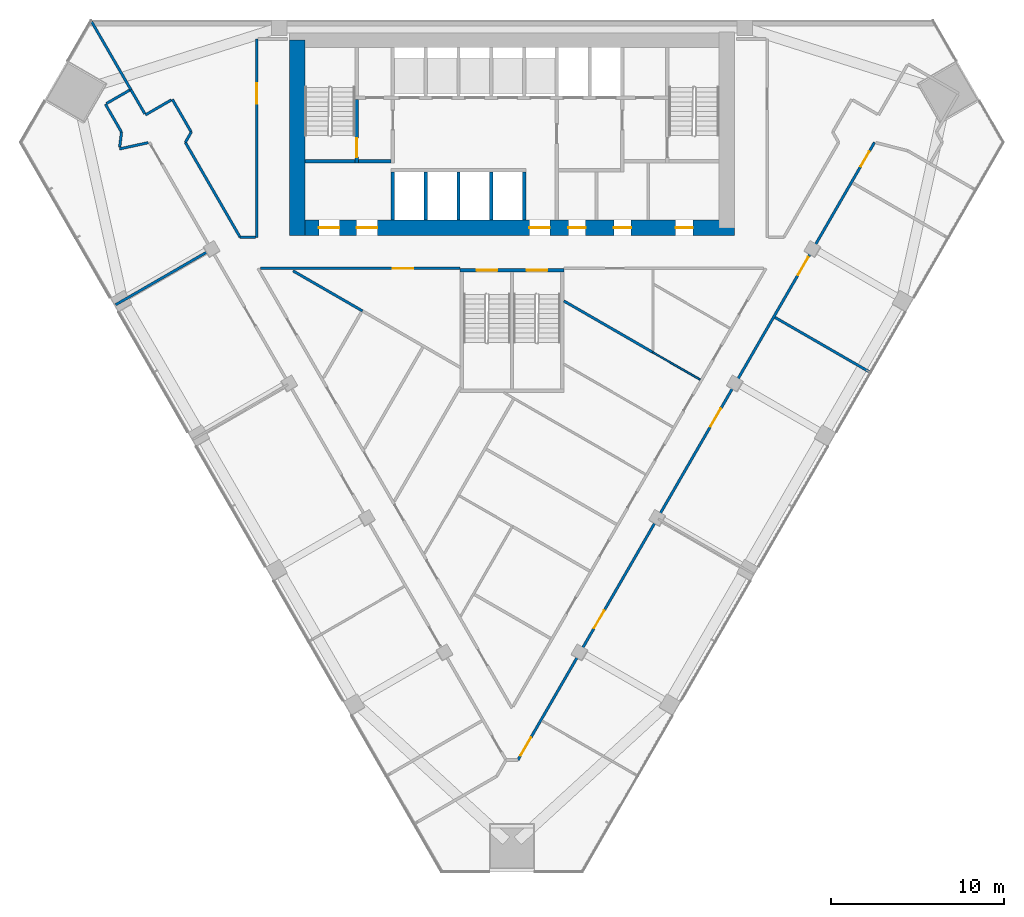
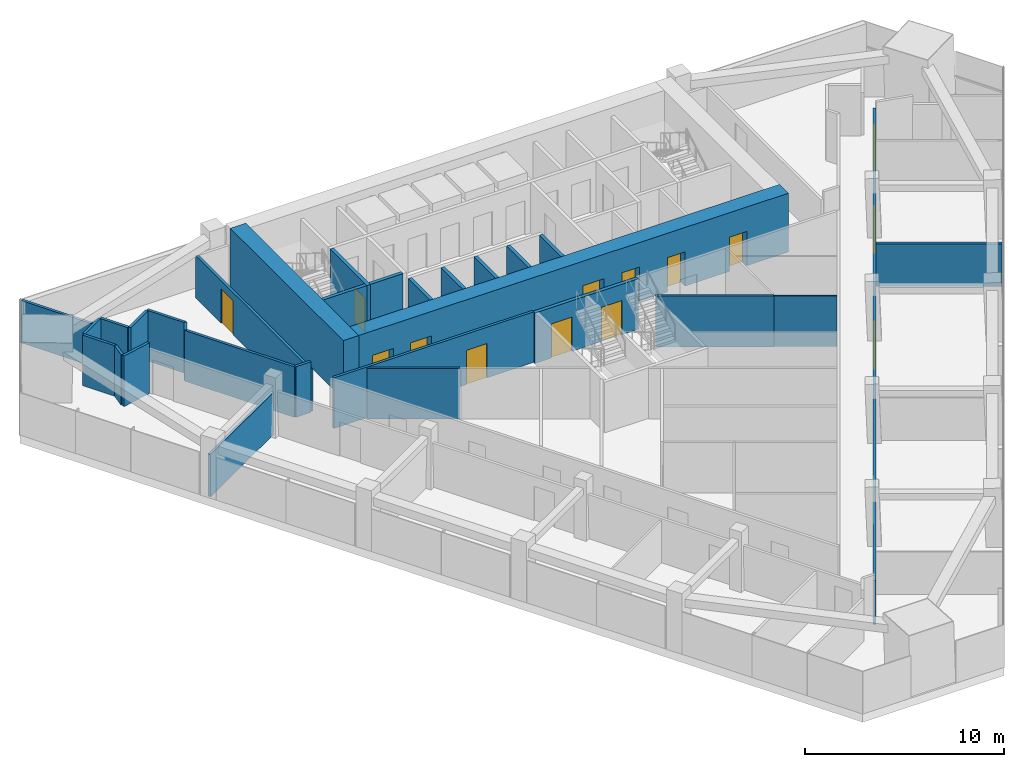
# One storey, part 10 of 14: 30 walls, 16 doors, 16 openings.
"""IFC4 building model written with IfcOpenShell, lengths in metres."""

from ifc_helpers import new_model, si_unit, direction, frame, frame_2d, origin, place, context, subcontext, project, spatial, rectangle, extrude, material, layer, layer_set, type_object, element, fill, save


model = new_model("IFC4")

# Units and contexts
model_context = context("Model", 3, precision=1e-05, world=origin(), true_north=direction((0.0, 1.0)))
body_context = subcontext(model_context, "Body", "Model", "MODEL_VIEW")
ifc_project = project(units=[si_unit("LENGTHUNIT", "METRE"), si_unit("AREAUNIT", "SQUARE_METRE"), si_unit("VOLUMEUNIT", "CUBIC_METRE"), si_unit("PLANEANGLEUNIT", "RADIAN"), si_unit("MASSUNIT", "GRAM", prefix="KILO")], contexts=[model_context])

# Site, building, storey
site_placement = place(None, origin())
site = spatial("IfcSite", under=ifc_project, at=site_placement, CompositionType="ELEMENT")
building_placement = place(site_placement, origin())
building = spatial("IfcBuilding", under=site, at=building_placement, Name="Altiplano Prism Tower", CompositionType="ELEMENT")
storey_placement = place(building_placement, frame((0.0, 0.0, 111.60009765625)))
storey = spatial("IfcBuildingStorey", under=building, at=storey_placement, Name="L28", CompositionType="ELEMENT", Elevation=111.60009765625)

# Wall, openings, doors
ifc_material_1 = material(Name="Concrete C70/85", Category="concrete")
ifc_layer_1 = layer(ifc_material_1, 0.89990234375)
ifc_layer_set_1 = layer_set([ifc_layer_1], Name="Concrete C70/85")
wall_type_1 = type_object("IfcWallType", Name="Core wall 900", PredefinedType="SHEAR", material=ifc_layer_set_1)
wall_1_placement = place(storey_placement, frame((72.550048828125, 92.949951171875, 0.0), z_axis=(0.0, 0.0, 1.0), x_axis=(1.0, 0.0, 0.0)))
wall_1 = element("IfcWall", 1, at=wall_1_placement, inside=storey, type_object=wall_type_1, Name="Core wall S L28", PredefinedType="SHEAR", context=body_context, shape_type="SweptSolid", body=[
    extrude(rectangle(XDim=25.349853515625, YDim=0.89990234375, at=frame_2d((12.6748046875, 0.0))), origin(), (0.0, 0.0, 1.0), 3.599853515625),
])
opening_1_placement = place(wall_1_placement, frame((1.25, 0.0, 0.0)))
opening_1 = element("IfcOpeningElement", 2, at=opening_1_placement, cuts=wall_1, Name="Opening D2964", PredefinedType="OPENING", context=body_context, shape_type="SweptSolid", body=[
    extrude(rectangle(XDim=1.199951171875, YDim=2.10009765625, at=frame_2d((0.60009765625, 1.050048828125))), frame((0.0, 0.46044921875, 0.0), z_axis=(0.0, -1.0, 0.0), x_axis=(1.0, 0.0, 0.0)), (0.0, 0.0, 1.0), 0.9208984375),
])
opening_2_placement = place(wall_1_placement, frame((3.449951171875, 0.0, 0.0)))
opening_2 = element("IfcOpeningElement", 3, at=opening_2_placement, cuts=wall_1, Name="Opening D2965", PredefinedType="OPENING", context=body_context, shape_type="SweptSolid", body=[
    extrude(rectangle(XDim=1.199951171875, YDim=2.10009765625, at=frame_2d((0.60009765625, 1.050048828125))), frame((0.0, 0.46044921875, 0.0), z_axis=(0.0, -1.0, 0.0), x_axis=(1.0, 0.0, 0.0)), (0.0, 0.0, 1.0), 0.9208984375),
])
opening_3_placement = place(wall_1_placement, frame((13.449951171875, 0.0, 0.0)))
opening_3 = element("IfcOpeningElement", 4, at=opening_3_placement, cuts=wall_1, Name="Opening D2966", PredefinedType="OPENING", context=body_context, shape_type="SweptSolid", body=[
    extrude(rectangle(XDim=1.199951171875, YDim=2.10009765625, at=frame_2d((0.60009765625, 1.050048828125))), frame((0.0, 0.46044921875, 0.0), z_axis=(0.0, -1.0, 0.0), x_axis=(1.0, 0.0, 0.0)), (0.0, 0.0, 1.0), 0.9208984375),
])
opening_4_placement = place(wall_1_placement, frame((15.71240234375, 0.0, 0.0)))
opening_4 = element("IfcOpeningElement", 5, at=opening_4_placement, cuts=wall_1, Name="Opening D2969", PredefinedType="OPENING", context=body_context, shape_type="SweptSolid", body=[
    extrude(rectangle(XDim=1.0, YDim=2.10009765625, at=frame_2d((0.5, 1.050048828125))), frame((0.0, 0.46044921875, 0.0), z_axis=(0.0, -1.0, 0.0), x_axis=(1.0, 0.0, 0.0)), (0.0, 0.0, 1.0), 0.9208984375),
])
opening_5_placement = place(wall_1_placement, frame((18.35009765625, 0.0, 0.0)))
opening_5 = element("IfcOpeningElement", 6, at=opening_5_placement, cuts=wall_1, Name="Opening D2970", PredefinedType="OPENING", context=body_context, shape_type="SweptSolid", body=[
    extrude(rectangle(XDim=1.0, YDim=2.10009765625, at=frame_2d((0.5, 1.050048828125))), frame((0.0, 0.46044921875, 0.0), z_axis=(0.0, -1.0, 0.0), x_axis=(1.0, 0.0, 0.0)), (0.0, 0.0, 1.0), 0.9208984375),
])
opening_6_placement = place(wall_1_placement, frame((21.9375, 0.0, 0.0)))
opening_6 = element("IfcOpeningElement", 7, at=opening_6_placement, cuts=wall_1, Name="Opening D2971", PredefinedType="OPENING", context=body_context, shape_type="SweptSolid", body=[
    extrude(rectangle(XDim=1.0, YDim=2.10009765625, at=frame_2d((0.5, 1.050048828125))), frame((0.0, 0.46044921875, 0.0), z_axis=(0.0, -1.0, 0.0), x_axis=(1.0, 0.0, 0.0)), (0.0, 0.0, 1.0), 0.9208984375),
])
ifc_material_2 = material(Name="Fire-rated steel door", Category="steel")
door_type_1 = type_object("IfcDoorType", Name="Core room door 1000 x 2100", OperationType="NOTDEFINED", PredefinedType="NOTDEFINED", material=ifc_material_2)
door_1_placement = place(opening_4_placement, origin())
door_1 = element("IfcDoor", 8, at=door_1_placement, inside=storey, type_object=door_type_1, Name="Core room door D2969", OperationType="SINGLE_SWING_RIGHT", OverallHeight=2.10009765625, OverallWidth=1.0, PredefinedType="NOTDEFINED", context=body_context, shape_type="SweptSolid", body=[
    extrude(rectangle(XDim=1.0, YDim=2.10009765625, at=frame_2d((0.5, 1.050048828125))), frame((0.0, 0.02490234375, 0.0), z_axis=(0.0, -1.0, 0.0), x_axis=(1.0, 0.0, 0.0)), (0.0, 0.0, 1.0), 0.050048828125),
])
fill(opening_4, door_1)
door_2_placement = place(opening_5_placement, origin())
door_2 = element("IfcDoor", 9, at=door_2_placement, inside=storey, type_object=door_type_1, Name="Core room door D2970", OperationType="SINGLE_SWING_LEFT", OverallHeight=2.10009765625, OverallWidth=1.0, PredefinedType="NOTDEFINED", context=body_context, shape_type="SweptSolid", body=[
    extrude(rectangle(XDim=1.0, YDim=2.10009765625, at=frame_2d((0.5, 1.050048828125))), frame((0.0, 0.02490234375, 0.0), z_axis=(0.0, -1.0, 0.0), x_axis=(1.0, 0.0, 0.0)), (0.0, 0.0, 1.0), 0.050048828125),
])
fill(opening_5, door_2)
door_3_placement = place(opening_6_placement, origin())
door_3 = element("IfcDoor", 10, at=door_3_placement, inside=storey, type_object=door_type_1, Name="Core room door D2971", OperationType="SINGLE_SWING_RIGHT", OverallHeight=2.10009765625, OverallWidth=1.0, PredefinedType="NOTDEFINED", context=body_context, shape_type="SweptSolid", body=[
    extrude(rectangle(XDim=1.0, YDim=2.10009765625, at=frame_2d((0.5, 1.050048828125))), frame((0.0, 0.02490234375, 0.0), z_axis=(0.0, -1.0, 0.0), x_axis=(1.0, 0.0, 0.0)), (0.0, 0.0, 1.0), 0.050048828125),
])
fill(opening_6, door_3)
door_type_2 = type_object("IfcDoorType", Name="Lobby fire door 1200 x 2100", OperationType="NOTDEFINED", PredefinedType="NOTDEFINED", material=ifc_material_2)
door_4_placement = place(opening_1_placement, origin())
door_4 = element("IfcDoor", 11, at=door_4_placement, inside=storey, type_object=door_type_2, Name="Lobby fire door D2964", OperationType="SINGLE_SWING_RIGHT", OverallHeight=2.10009765625, OverallWidth=1.199951171875, PredefinedType="NOTDEFINED", context=body_context, shape_type="SweptSolid", body=[
    extrude(rectangle(XDim=1.199951171875, YDim=2.10009765625, at=frame_2d((0.60009765625, 1.050048828125))), frame((0.0, 0.02490234375, 0.0), z_axis=(0.0, -1.0, 0.0), x_axis=(1.0, 0.0, 0.0)), (0.0, 0.0, 1.0), 0.050048828125),
])
fill(opening_1, door_4)
door_5_placement = place(opening_2_placement, origin())
door_5 = element("IfcDoor", 12, at=door_5_placement, inside=storey, type_object=door_type_2, Name="Lobby fire door D2965", OperationType="SINGLE_SWING_LEFT", OverallHeight=2.10009765625, OverallWidth=1.199951171875, PredefinedType="NOTDEFINED", context=body_context, shape_type="SweptSolid", body=[
    extrude(rectangle(XDim=1.199951171875, YDim=2.10009765625, at=frame_2d((0.60009765625, 1.050048828125))), frame((0.0, 0.02490234375, 0.0), z_axis=(0.0, -1.0, 0.0), x_axis=(1.0, 0.0, 0.0)), (0.0, 0.0, 1.0), 0.050048828125),
])
fill(opening_2, door_5)
door_6_placement = place(opening_3_placement, origin())
door_6 = element("IfcDoor", 13, at=door_6_placement, inside=storey, type_object=door_type_2, Name="Lobby fire door D2966", OperationType="SINGLE_SWING_RIGHT", OverallHeight=2.10009765625, OverallWidth=1.199951171875, PredefinedType="NOTDEFINED", context=body_context, shape_type="SweptSolid", body=[
    extrude(rectangle(XDim=1.199951171875, YDim=2.10009765625, at=frame_2d((0.60009765625, 1.050048828125))), frame((0.0, 0.02490234375, 0.0), z_axis=(0.0, -1.0, 0.0), x_axis=(1.0, 0.0, 0.0)), (0.0, 0.0, 1.0), 0.050048828125),
])
fill(opening_3, door_6)

# Walls
wall_2_placement = place(storey_placement, frame((72.550048828125, 103.85009765625, 0.0), z_axis=(0.0, 0.0, 1.0), x_axis=(0.0, -1.0, 0.0)))
element("IfcWall", 14, at=wall_2_placement, inside=storey, type_object=wall_type_1, Name="Core wall W L28", PredefinedType="SHEAR", context=body_context, shape_type="SweptSolid", body=[
    extrude(rectangle(XDim=11.35009765625, YDim=0.89990234375, at=frame_2d((5.675048828125, 0.0))), origin(), (0.0, 0.0, 1.0), 3.599853515625),
])
ifc_material_3 = material(Name="Plasterboard on steel stud", Category="steel")
ifc_layer_2 = layer(ifc_material_3, 0.10009765625)
ifc_layer_set_2 = layer_set([ifc_layer_2], Name="Plasterboard on steel stud")
wall_type_2 = type_object("IfcWallType", Name="Partition 100 wet", PredefinedType="PARTITIONING", material=ifc_layer_set_2)
wall_3_placement = place(storey_placement, frame((93.14892578125, 85.744873046875, 0.0), z_axis=(0.0, 0.0, 1.0), x_axis=(0.866050256499, -0.499956951366, 0.0)))
element("IfcWall", 15, at=wall_3_placement, inside=storey, type_object=wall_type_2, Name="Partition P03 L28 035", PredefinedType="PARTITIONING", context=body_context, shape_type="SweptSolid", body=[
    extrude(rectangle(XDim=3.184326171875, YDim=0.10009765625, at=frame_2d((1.59228515625, 0.0))), origin(), (0.0, 0.0, 1.0), 3.099853515625),
])
ifc_layer_3 = layer(ifc_material_3, 0.14990234375)
ifc_layer_set_3 = layer_set([ifc_layer_3], Name="Plasterboard on steel stud")
wall_type_3 = type_object("IfcWallType", Name="Partition 150 corridor", PredefinedType="PARTITIONING", material=ifc_layer_set_3)
wall_4_placement = place(storey_placement, frame((62.838134765625, 100.934814453125, 0.0), z_axis=(0.0, 0.0, 1.0), x_axis=(-0.865975732936, -0.500086022567, 0.0)))
element("IfcWall", 16, at=wall_4_placement, inside=storey, type_object=wall_type_3, Name="Partition P06 L28 004", PredefinedType="PARTITIONING", context=body_context, shape_type="SweptSolid", body=[
    extrude(rectangle(XDim=1.550048828125, YDim=0.14990234375, at=frame_2d((0.77490234375, 0.0))), origin(), (0.0, 0.0, 1.0), 3.099853515625),
])
wall_5_placement = place(storey_placement, frame((61.430908203125, 100.122314453125, 0.0), z_axis=(0.0, 0.0, 1.0), x_axis=(0.499951854219, -0.86605319898, 0.0)))
element("IfcWall", 17, at=wall_5_placement, inside=storey, type_object=wall_type_3, Name="Partition P06 L28 005", PredefinedType="PARTITIONING", context=body_context, shape_type="SweptSolid", body=[
    extrude(rectangle(XDim=1.873291015625, YDim=0.14990234375, at=frame_2d((0.9365234375, 0.0))), origin(), (0.0, 0.0, 1.0), 3.099853515625),
])
wall_6_placement = place(storey_placement, frame((62.367431640625, 98.5, 0.0), z_axis=(0.0, 0.0, 1.0), x_axis=(-0.125097682957, -0.992144429868, 0.0)))
element("IfcWall", 18, at=wall_6_placement, inside=storey, type_object=wall_type_3, Name="Partition P06 L28 006", PredefinedType="PARTITIONING", context=body_context, shape_type="SweptSolid", body=[
    extrude(rectangle(XDim=0.876220703125, YDim=0.14990234375, at=frame_2d((0.43798828125, 0.0))), origin(), (0.0, 0.0, 1.0), 3.099853515625),
])
wall_7_placement = place(storey_placement, frame((62.24462890625, 97.525146484375, 0.0), z_axis=(0.0, 0.0, 1.0), x_axis=(0.976932556005, 0.213548076594, 0.0)))
element("IfcWall", 19, at=wall_7_placement, inside=storey, type_object=wall_type_3, Name="Partition P06 L28 007", PredefinedType="PARTITIONING", context=body_context, shape_type="SweptSolid", body=[
    extrude(rectangle(XDim=1.712646484375, YDim=0.14990234375, at=frame_2d((0.8564453125, 0.0))), origin(), (0.0, 0.0, 1.0), 3.099853515625),
])

# Wall, openings, doors
wall_8_placement = place(storey_placement, frame((85.3427734375, 62.10546875, 0.0), z_axis=(0.0, 0.0, 1.0), x_axis=(0.500001579174, 0.866024492046, 0.0)))
wall_8 = element("IfcWall", 20, at=wall_8_placement, inside=storey, type_object=wall_type_3, Name="Partition P06 L28 010", PredefinedType="PARTITIONING", context=body_context, shape_type="SweptSolid", body=[
    extrude(rectangle(XDim=41.339111328125, YDim=0.14990234375, at=frame_2d((20.66943359375, 0.0))), origin(), (0.0, 0.0, 1.0), 2.699951171875),
])
opening_7_placement = place(wall_8_placement, frame((0.31201171875, 0.0, 0.0)))
opening_7 = element("IfcOpeningElement", 21, at=opening_7_placement, cuts=wall_8, Name="Opening D1027", PredefinedType="OPENING", context=body_context, shape_type="SweptSolid", body=[
    extrude(rectangle(XDim=1.199951171875, YDim=2.10009765625, at=frame_2d((0.60009765625, 1.050048828125))), frame((0.0, 0.08544921875, 0.0), z_axis=(0.0, -1.0, 0.0), x_axis=(1.0, 0.0, 0.0)), (0.0, 0.0, 1.0), 0.1708984375),
])
opening_8_placement = place(wall_8_placement, frame((8.820068359375, 0.0, 0.0)))
opening_8 = element("IfcOpeningElement", 22, at=opening_8_placement, cuts=wall_8, Name="Opening D1028", PredefinedType="OPENING", context=body_context, shape_type="SweptSolid", body=[
    extrude(rectangle(XDim=1.199951171875, YDim=2.10009765625, at=frame_2d((0.60009765625, 1.050048828125))), frame((0.0, 0.08544921875, 0.0), z_axis=(0.0, -1.0, 0.0), x_axis=(1.0, 0.0, 0.0)), (0.0, 0.0, 1.0), 0.1708984375),
])
opening_9_placement = place(wall_8_placement, frame((22.320068359375, 0.0, 0.0)))
opening_9 = element("IfcOpeningElement", 23, at=opening_9_placement, cuts=wall_8, Name="Opening D1029", PredefinedType="OPENING", context=body_context, shape_type="SweptSolid", body=[
    extrude(rectangle(XDim=1.199951171875, YDim=2.10009765625, at=frame_2d((0.60009765625, 1.050048828125))), frame((0.0, 0.08544921875, 0.0), z_axis=(0.0, -1.0, 0.0), x_axis=(1.0, 0.0, 0.0)), (0.0, 0.0, 1.0), 0.1708984375),
])
opening_10_placement = place(wall_8_placement, frame((32.469970703125, 0.0, 0.0)))
opening_10 = element("IfcOpeningElement", 24, at=opening_10_placement, cuts=wall_8, Name="Opening D1030", PredefinedType="OPENING", context=body_context, shape_type="SweptSolid", body=[
    extrude(rectangle(XDim=1.199951171875, YDim=2.10009765625, at=frame_2d((0.60009765625, 1.050048828125))), frame((0.0, 0.08544921875, 0.0), z_axis=(0.0, -1.0, 0.0), x_axis=(1.0, 0.0, 0.0)), (0.0, 0.0, 1.0), 0.1708984375),
])
opening_11_placement = place(wall_8_placement, frame((39.739013671875, 0.0, 0.0)))
opening_11 = element("IfcOpeningElement", 25, at=opening_11_placement, cuts=wall_8, Name="Opening D1031", PredefinedType="OPENING", context=body_context, shape_type="SweptSolid", body=[
    extrude(rectangle(XDim=1.0, YDim=2.10009765625, at=frame_2d((0.5, 1.050048828125))), frame((0.0, 0.08544921875, 0.0), z_axis=(0.0, -1.0, 0.0), x_axis=(1.0, 0.0, 0.0)), (0.0, 0.0, 1.0), 0.1708984375),
])
ifc_material_4 = material(Name="Timber", Category="wood")
door_type_3 = type_object("IfcDoorType", Name="Room door 1000 x 2100", OperationType="NOTDEFINED", PredefinedType="NOTDEFINED", material=ifc_material_4)
door_7_placement = place(opening_11_placement, origin())
door_7 = element("IfcDoor", 26, at=door_7_placement, inside=storey, type_object=door_type_3, Name="Door D1031", OperationType="SINGLE_SWING_RIGHT", OverallHeight=2.10009765625, OverallWidth=1.0, PredefinedType="NOTDEFINED", context=body_context, shape_type="SweptSolid", body=[
    extrude(rectangle(XDim=1.0, YDim=2.10009765625, at=frame_2d((0.5, 1.050048828125))), frame((0.0, 0.02490234375, 0.0), z_axis=(0.0, -1.0, 0.0), x_axis=(1.0, 0.0, 0.0)), (0.0, 0.0, 1.0), 0.050048828125),
])
fill(opening_11, door_7)
door_type_4 = type_object("IfcDoorType", Name="Shared room door 1200 x 2100", OperationType="NOTDEFINED", PredefinedType="NOTDEFINED", material=ifc_material_4)
door_8_placement = place(opening_7_placement, origin())
door_8 = element("IfcDoor", 27, at=door_8_placement, inside=storey, type_object=door_type_4, Name="Door D1027", OperationType="SINGLE_SWING_RIGHT", OverallHeight=2.10009765625, OverallWidth=1.199951171875, PredefinedType="NOTDEFINED", context=body_context, shape_type="SweptSolid", body=[
    extrude(rectangle(XDim=1.199951171875, YDim=2.10009765625, at=frame_2d((0.60009765625, 1.050048828125))), frame((0.0, 0.02490234375, 0.0), z_axis=(0.0, -1.0, 0.0), x_axis=(1.0, 0.0, 0.0)), (0.0, 0.0, 1.0), 0.050048828125),
])
fill(opening_7, door_8)
door_9_placement = place(opening_8_placement, origin())
door_9 = element("IfcDoor", 28, at=door_9_placement, inside=storey, type_object=door_type_4, Name="Door D1028", OperationType="SINGLE_SWING_LEFT", OverallHeight=2.10009765625, OverallWidth=1.199951171875, PredefinedType="NOTDEFINED", context=body_context, shape_type="SweptSolid", body=[
    extrude(rectangle(XDim=1.199951171875, YDim=2.10009765625, at=frame_2d((0.60009765625, 1.050048828125))), frame((0.0, 0.02490234375, 0.0), z_axis=(0.0, -1.0, 0.0), x_axis=(1.0, 0.0, 0.0)), (0.0, 0.0, 1.0), 0.050048828125),
])
fill(opening_8, door_9)
door_10_placement = place(opening_9_placement, origin())
door_10 = element("IfcDoor", 29, at=door_10_placement, inside=storey, type_object=door_type_4, Name="Door D1029", OperationType="SINGLE_SWING_RIGHT", OverallHeight=2.10009765625, OverallWidth=1.199951171875, PredefinedType="NOTDEFINED", context=body_context, shape_type="SweptSolid", body=[
    extrude(rectangle(XDim=1.199951171875, YDim=2.10009765625, at=frame_2d((0.60009765625, 1.050048828125))), frame((0.0, 0.02490234375, 0.0), z_axis=(0.0, -1.0, 0.0), x_axis=(1.0, 0.0, 0.0)), (0.0, 0.0, 1.0), 0.050048828125),
])
fill(opening_9, door_10)
door_11_placement = place(opening_10_placement, origin())
door_11 = element("IfcDoor", 30, at=door_11_placement, inside=storey, type_object=door_type_4, Name="Door D1030", OperationType="SINGLE_SWING_RIGHT", OverallHeight=2.10009765625, OverallWidth=1.199951171875, PredefinedType="NOTDEFINED", context=body_context, shape_type="SweptSolid", body=[
    extrude(rectangle(XDim=1.199951171875, YDim=2.10009765625, at=frame_2d((0.60009765625, 1.050048828125))), frame((0.0, 0.02490234375, 0.0), z_axis=(0.0, -1.0, 0.0), x_axis=(1.0, 0.0, 0.0)), (0.0, 0.0, 1.0), 0.050048828125),
])
fill(opening_10, door_11)

# Wall, opening, door
wall_9_placement = place(storey_placement, frame((70.199951171875, 103.89990234375, 0.0), z_axis=(0.0, 0.0, 1.0), x_axis=(0.0, -1.0, 0.0)))
wall_9 = element("IfcWall", 31, at=wall_9_placement, inside=storey, type_object=wall_type_3, Name="Partition P06 L28 026", PredefinedType="PARTITIONING", context=body_context, shape_type="SweptSolid", body=[
    extrude(rectangle(XDim=11.5, YDim=0.14990234375, at=frame_2d((5.75, 0.0))), origin(), (0.0, 0.0, 1.0), 2.599853515625),
])
opening_12_placement = place(wall_9_placement, frame((2.56494140625, 0.0, 0.0)))
opening_12 = element("IfcOpeningElement", 32, at=opening_12_placement, cuts=wall_9, Name="Opening D1033", PredefinedType="OPENING", context=body_context, shape_type="SweptSolid", body=[
    extrude(rectangle(XDim=1.199951171875, YDim=2.10009765625, at=frame_2d((0.60009765625, 1.050048828125))), frame((0.0, 0.08544921875, 0.0), z_axis=(0.0, -1.0, 0.0), x_axis=(1.0, 0.0, 0.0)), (0.0, 0.0, 1.0), 0.1708984375),
])
door_12_placement = place(opening_12_placement, origin())
door_12 = element("IfcDoor", 33, at=door_12_placement, inside=storey, type_object=door_type_4, Name="Door D1033", OperationType="SINGLE_SWING_RIGHT", OverallHeight=2.10009765625, OverallWidth=1.199951171875, PredefinedType="NOTDEFINED", context=body_context, shape_type="SweptSolid", body=[
    extrude(rectangle(XDim=1.199951171875, YDim=2.10009765625, at=frame_2d((0.60009765625, 1.050048828125))), frame((0.0, 0.02490234375, 0.0), z_axis=(0.0, -1.0, 0.0), x_axis=(1.0, 0.0, 0.0)), (0.0, 0.0, 1.0), 0.050048828125),
])
fill(opening_12, door_12)

# Walls
wall_10_placement = place(storey_placement, frame((70.125, 92.39990234375, 0.0), z_axis=(0.0, 0.0, 1.0), x_axis=(-1.0, 0.0, 0.0)))
element("IfcWall", 34, at=wall_10_placement, inside=storey, type_object=wall_type_3, Name="Partition P06 L28 027", PredefinedType="PARTITIONING", context=body_context, shape_type="SweptSolid", body=[
    extrude(rectangle(XDim=0.8798828125, YDim=0.14990234375, at=frame_2d((0.43994140625, 0.0))), origin(), (0.0, 0.0, 1.0), 3.099853515625),
])
wall_11_placement = place(storey_placement, frame((69.2451171875, 92.39990234375, 0.0), z_axis=(0.0, 0.0, 1.0), x_axis=(-0.499983931063, 0.866034680991, 0.0)))
element("IfcWall", 35, at=wall_11_placement, inside=storey, type_object=wall_type_3, Name="Partition P06 L28 028", PredefinedType="PARTITIONING", context=body_context, shape_type="SweptSolid", body=[
    extrude(rectangle(XDim=6.358154296875, YDim=0.14990234375, at=frame_2d((3.17919921875, 0.0))), origin(), (0.0, 0.0, 1.0), 3.099853515625),
])
wall_12_placement = place(storey_placement, frame((66.066162109375, 97.90625, 0.0), z_axis=(0.0, 0.0, 1.0), x_axis=(0.499969057507, 0.866043267704, 0.0)))
element("IfcWall", 36, at=wall_12_placement, inside=storey, type_object=wall_type_3, Name="Partition P06 L28 029", PredefinedType="PARTITIONING", context=body_context, shape_type="SweptSolid", body=[
    extrude(rectangle(XDim=0.685546875, YDim=0.14990234375, at=frame_2d((0.3427734375, 0.0))), origin(), (0.0, 0.0, 1.0), 3.099853515625),
])
wall_13_placement = place(storey_placement, frame((66.408935546875, 98.5, 0.0), z_axis=(0.0, 0.0, 1.0), x_axis=(-0.500005024956, 0.866022502605, 0.0)))
element("IfcWall", 37, at=wall_13_placement, inside=storey, type_object=wall_type_3, Name="Partition P06 L28 030", PredefinedType="PARTITIONING", context=body_context, shape_type="SweptSolid", body=[
    extrude(rectangle(XDim=2.19384765625, YDim=0.14990234375, at=frame_2d((1.096923828125, 0.0))), origin(), (0.0, 0.0, 1.0), 3.099853515625),
])
wall_14_placement = place(storey_placement, frame((65.2470703125, 100.362548828125, 0.0), z_axis=(0.0, 0.0, 1.0), x_axis=(-0.866013532718, -0.500020560727, 0.0)))
element("IfcWall", 38, at=wall_14_placement, inside=storey, type_object=wall_type_3, Name="Partition P06 L28 031", PredefinedType="PARTITIONING", context=body_context, shape_type="SweptSolid", body=[
    extrude(rectangle(XDim=1.72509765625, YDim=0.14990234375, at=frame_2d((0.862548828125, 0.0))), origin(), (0.0, 0.0, 1.0), 3.099853515625),
])
wall_15_placement = place(storey_placement, frame((63.715576171875, 99.56494140625, 0.0), z_axis=(0.0, 0.0, 1.0), x_axis=(-0.500016533484, 0.866015857963, 0.0)))
element("IfcWall", 39, at=wall_15_placement, inside=storey, type_object=wall_type_3, Name="Partition P06 L28 032", PredefinedType="PARTITIONING", context=body_context, shape_type="SweptSolid", body=[
    extrude(rectangle(XDim=1.60498046875, YDim=0.14990234375, at=frame_2d((0.802490234375, 0.0))), origin(), (0.0, 0.0, 1.0), 3.099853515625),
])

# Wall, opening, door
wall_16_placement = place(storey_placement, frame((70.414306640625, 90.60009765625, 0.0), z_axis=(0.0, 0.0, 1.0), x_axis=(0.999999996448, -8.429038e-05, 0.0)))
wall_16 = element("IfcWall", 40, at=wall_16_placement, inside=storey, type_object=wall_type_3, Name="Partition P06 L28 033", PredefinedType="PARTITIONING", context=body_context, shape_type="SweptSolid", body=[
    extrude(rectangle(XDim=11.585693359375, YDim=0.14990234375, at=frame_2d((5.79296875, 0.0))), origin(), (0.0, 0.0, 1.0), 3.099853515625),
])
opening_13_placement = place(wall_16_placement, frame((7.675048828125, 0.0, 0.0)))
opening_13 = element("IfcOpeningElement", 41, at=opening_13_placement, cuts=wall_16, Name="Opening D1035", PredefinedType="OPENING", context=body_context, shape_type="SweptSolid", body=[
    extrude(rectangle(XDim=1.199951171875, YDim=2.10009765625, at=frame_2d((0.60009765625, 1.050048828125))), frame((0.0, 0.08544921875, 0.0), z_axis=(0.0, -1.0, 0.0), x_axis=(1.0, 0.0, 0.0)), (0.0, 0.0, 1.0), 0.1708984375),
])
door_13_placement = place(opening_13_placement, origin())
door_13 = element("IfcDoor", 42, at=door_13_placement, inside=storey, type_object=door_type_4, Name="Door D1035", OperationType="SINGLE_SWING_LEFT", OverallHeight=2.10009765625, OverallWidth=1.199951171875, PredefinedType="NOTDEFINED", context=body_context, shape_type="SweptSolid", body=[
    extrude(rectangle(XDim=1.199951171875, YDim=2.10009765625, at=frame_2d((0.60009765625, 1.050048828125))), frame((0.0, 0.02490234375, 0.0), z_axis=(0.0, -1.0, 0.0), x_axis=(1.0, 0.0, 0.0)), (0.0, 0.0, 1.0), 0.050048828125),
])
fill(opening_13, door_13)

# Walls
ifc_layer_4 = layer(ifc_material_3, 0.14990234375)
ifc_layer_set_4 = layer_set([ifc_layer_4], Name="Plasterboard on steel stud")
wall_type_4 = type_object("IfcWallType", Name="Partition 150 party", PredefinedType="PARTITIONING", material=ifc_layer_set_4)
wall_17_placement = place(storey_placement, frame((76.332763671875, 88.135498046875, 0.0), z_axis=(0.0, 0.0, 1.0), x_axis=(-0.866027297752, 0.499996719538, 0.0)))
element("IfcWall", 43, at=wall_17_placement, inside=storey, type_object=wall_type_4, Name="Partition P01 L28 038", PredefinedType="PARTITIONING", context=body_context, shape_type="SweptSolid", body=[
    extrude(rectangle(XDim=4.64892578125, YDim=0.14990234375, at=frame_2d((2.324462890625, 0.0))), origin(), (0.0, 0.0, 1.0), 3.099853515625),
])
wall_18_placement = place(storey_placement, frame((62.02978515625, 88.4970703125, 0.0), z_axis=(0.0, 0.0, 1.0), x_axis=(0.866015887322, 0.500016482634, 0.0)))
element("IfcWall", 44, at=wall_18_placement, inside=storey, type_object=wall_type_4, Name="Partition P01 L28 040", PredefinedType="PARTITIONING", context=body_context, shape_type="SweptSolid", body=[
    extrude(rectangle(XDim=6.324951171875, YDim=0.14990234375, at=frame_2d((3.16259765625, 0.0))), origin(), (0.0, 0.0, 1.0), 2.599853515625),
])
wall_19_placement = place(storey_placement, frame((62.9130859375, 100.954833984375, 0.0), z_axis=(0.0, 0.0, 1.0), x_axis=(-0.499983800959, 0.866034756103, 0.0)))
element("IfcWall", 45, at=wall_19_placement, inside=storey, type_object=wall_type_4, Name="Partition P01 L28 041", PredefinedType="PARTITIONING", context=body_context, shape_type="SweptSolid", body=[
    extrude(rectangle(XDim=4.555419921875, YDim=0.14990234375, at=frame_2d((2.27783203125, 0.0))), origin(), (0.0, 0.0, 1.0), 2.599853515625),
])
wall_20_placement = place(storey_placement, frame((105.72021484375, 84.60009765625, 0.0), z_axis=(0.0, 0.0, 1.0), x_axis=(-0.866032601554, 0.49998753289, 0.0)))
element("IfcWall", 46, at=wall_20_placement, inside=storey, type_object=wall_type_4, Name="Partition P01 L28 049", PredefinedType="PARTITIONING", context=body_context, shape_type="SweptSolid", body=[
    extrude(rectangle(XDim=6.324951171875, YDim=0.14990234375, at=frame_2d((3.16259765625, 0.0))), origin(), (0.0, 0.0, 1.0), 2.599853515625),
])
wall_21_placement = place(storey_placement, frame((93.1689453125, 85.7333984375, 0.0), z_axis=(0.0, 0.0, 1.0), x_axis=(-0.866019379875, 0.500010433572, 0.0)))
element("IfcWall", 47, at=wall_21_placement, inside=storey, type_object=wall_type_4, Name="Partition P01 L28 062", PredefinedType="PARTITIONING", context=body_context, shape_type="SweptSolid", body=[
    extrude(rectangle(XDim=5.968505859375, YDim=0.14990234375, at=frame_2d((2.984375, 0.0))), origin(), (0.0, 0.0, 1.0), 3.099853515625),
])
ifc_material_5 = material(Name="Concrete C60/75", Category="concrete")
ifc_layer_5 = layer(ifc_material_5, 0.199951171875)
ifc_layer_set_5 = layer_set([ifc_layer_5], Name="Concrete C60/75")
wall_type_5 = type_object("IfcWallType", Name="Shaft wall 200", PredefinedType="SOLIDWALL", material=ifc_layer_set_5)
for number, where, z_axis, x_axis, name in (
    (48, (78.10009765625, 93.39990234375, 0.0), (0.0, 0.0, 1.0), (0.0, 1.0, 0.0), "Shaft wall L28"),
    (49, (80.0, 93.39990234375, 0.0), (0.0, 0.0, 1.0), (0.0, 1.0, 0.0), "Shaft wall L28"),
    (50, (81.89990234375, 93.39990234375, 0.0), (0.0, 0.0, 1.0), (0.0, 1.0, 0.0), "Shaft wall L28"),
    (51, (83.800048828125, 93.39990234375, 0.0), (0.0, 0.0, 1.0), (0.0, 1.0, 0.0), "Shaft wall L28"),
    (52, (85.699951171875, 93.39990234375, 0.0), (0.0, 0.0, 1.0), (0.0, 1.0, 0.0), "Shaft wall L28"),
):
    element("IfcWall", number, at=place(storey_placement, frame(where, z_axis=z_axis, x_axis=x_axis)), inside=storey, type_object=wall_type_5, Name=name, PredefinedType="SOLIDWALL", context=body_context, shape_type="SweptSolid", body=[
        extrude(rectangle(XDim=2.800048828125, YDim=0.199951171875, at=frame_2d((1.39990234375, 0.0))), origin(), (0.0, 0.0, 1.0), 3.099853515625),
    ])
ifc_layer_6 = layer(ifc_material_5, 0.199951171875)
ifc_layer_set_6 = layer_set([ifc_layer_6], Name="Concrete C60/75")
wall_type_6 = type_object("IfcWallType", Name="Stair wall 200", PredefinedType="SOLIDWALL", material=ifc_layer_set_6)
wall_22_placement = place(storey_placement, frame((73.0, 96.800048828125, 0.0), z_axis=(0.0, 0.0, 1.0), x_axis=(1.0, 0.0, 0.0)))
element("IfcWall", 53, at=wall_22_placement, inside=storey, type_object=wall_type_6, Name="Stair wall L28", PredefinedType="SOLIDWALL", context=body_context, shape_type="SweptSolid", body=[
    extrude(rectangle(XDim=2.89990234375, YDim=0.199951171875, at=frame_2d((1.449951171875, 0.0))), origin(), (0.0, 0.0, 1.0), 3.099853515625),
])

# Wall, opening, door
wall_23_placement = place(storey_placement, frame((76.0, 96.699951171875, 0.0), z_axis=(0.0, 0.0, 1.0), x_axis=(0.0, 1.0, 0.0)))
wall_23 = element("IfcWall", 54, at=wall_23_placement, inside=storey, type_object=wall_type_6, Name="Stair wall L28", PredefinedType="SOLIDWALL", context=body_context, shape_type="SweptSolid", body=[
    extrude(rectangle(XDim=3.699951171875, YDim=0.199951171875, at=frame_2d((1.85009765625, 0.0))), origin(), (0.0, 0.0, 1.0), 3.099853515625),
])
opening_14_placement = place(wall_23_placement, frame((0.35009765625, 0.0, 0.0)))
opening_14 = element("IfcOpeningElement", 55, at=opening_14_placement, cuts=wall_23, Name="Opening D2959", PredefinedType="OPENING", context=body_context, shape_type="SweptSolid", body=[
    extrude(rectangle(XDim=1.10009765625, YDim=2.10009765625, at=frame_2d((0.550048828125, 1.050048828125))), frame((0.0, 0.1103515625, 0.0), z_axis=(0.0, -1.0, 0.0), x_axis=(1.0, 0.0, 0.0)), (0.0, 0.0, 1.0), 0.220947265625),
])
door_type_5 = type_object("IfcDoorType", Name="Stair fire door 1100 x 2100", OperationType="NOTDEFINED", PredefinedType="NOTDEFINED", material=ifc_material_2)
door_14_placement = place(opening_14_placement, origin())
door_14 = element("IfcDoor", 56, at=door_14_placement, inside=storey, type_object=door_type_5, Name="Stair fire door D2959", OperationType="SINGLE_SWING_RIGHT", OverallHeight=2.10009765625, OverallWidth=1.10009765625, PredefinedType="NOTDEFINED", context=body_context, shape_type="SweptSolid", body=[
    extrude(rectangle(XDim=1.10009765625, YDim=2.10009765625, at=frame_2d((0.550048828125, 1.050048828125))), frame((0.0, 0.02490234375, 0.0), z_axis=(0.0, -1.0, 0.0), x_axis=(1.0, 0.0, 0.0)), (0.0, 0.0, 1.0), 0.050048828125),
])
fill(opening_14, door_14)

# Wall, openings, doors
wall_24_placement = place(storey_placement, frame((82.0, 90.5, 0.0), z_axis=(0.0, 0.0, 1.0), x_axis=(1.0, 0.0, 0.0)))
wall_24 = element("IfcWall", 57, at=wall_24_placement, inside=storey, type_object=wall_type_6, Name="Stair 3 wall north L28", PredefinedType="SOLIDWALL", context=body_context, shape_type="SweptSolid", body=[
    extrude(rectangle(XDim=6.0, YDim=0.199951171875, at=frame_2d((3.0, 0.0))), origin(), (0.0, 0.0, 1.0), 3.099853515625),
])
opening_15_placement = place(wall_24_placement, frame((0.949951171875, 0.0, 0.0)))
opening_15 = element("IfcOpeningElement", 58, at=opening_15_placement, cuts=wall_24, Name="Opening D3978", PredefinedType="OPENING", context=body_context, shape_type="SweptSolid", body=[
    extrude(rectangle(XDim=1.199951171875, YDim=2.10009765625, at=frame_2d((0.60009765625, 1.050048828125))), frame((0.0, 0.1103515625, 0.0), z_axis=(0.0, -1.0, 0.0), x_axis=(1.0, 0.0, 0.0)), (0.0, 0.0, 1.0), 0.220947265625),
])
opening_16_placement = place(wall_24_placement, frame((3.85009765625, 0.0, 0.0)))
opening_16 = element("IfcOpeningElement", 59, at=opening_16_placement, cuts=wall_24, Name="Opening D3979", PredefinedType="OPENING", context=body_context, shape_type="SweptSolid", body=[
    extrude(rectangle(XDim=1.199951171875, YDim=2.10009765625, at=frame_2d((0.60009765625, 1.050048828125))), frame((0.0, 0.1103515625, 0.0), z_axis=(0.0, -1.0, 0.0), x_axis=(1.0, 0.0, 0.0)), (0.0, 0.0, 1.0), 0.220947265625),
])
door_type_6 = type_object("IfcDoorType", Name="Stair fire door 1200 x 2100", OperationType="NOTDEFINED", PredefinedType="NOTDEFINED", material=ifc_material_2)
door_15_placement = place(opening_15_placement, origin())
door_15 = element("IfcDoor", 60, at=door_15_placement, inside=storey, type_object=door_type_6, Name="Stair fire door D3978", OperationType="SINGLE_SWING_LEFT", OverallHeight=2.10009765625, OverallWidth=1.199951171875, PredefinedType="NOTDEFINED", context=body_context, shape_type="SweptSolid", body=[
    extrude(rectangle(XDim=1.199951171875, YDim=2.10009765625, at=frame_2d((0.60009765625, 1.050048828125))), frame((0.0, 0.02490234375, 0.0), z_axis=(0.0, -1.0, 0.0), x_axis=(1.0, 0.0, 0.0)), (0.0, 0.0, 1.0), 0.050048828125),
])
fill(opening_15, door_15)
door_16_placement = place(opening_16_placement, origin())
door_16 = element("IfcDoor", 61, at=door_16_placement, inside=storey, type_object=door_type_6, Name="Stair fire door D3979", OperationType="SINGLE_SWING_LEFT", OverallHeight=2.10009765625, OverallWidth=1.199951171875, PredefinedType="NOTDEFINED", context=body_context, shape_type="SweptSolid", body=[
    extrude(rectangle(XDim=1.199951171875, YDim=2.10009765625, at=frame_2d((0.60009765625, 1.050048828125))), frame((0.0, 0.02490234375, 0.0), z_axis=(0.0, -1.0, 0.0), x_axis=(1.0, 0.0, 0.0)), (0.0, 0.0, 1.0), 0.050048828125),
])
fill(opening_16, door_16)

# Wall
ifc_layer_7 = layer(ifc_material_5, 0.199951171875)
ifc_layer_set_7 = layer_set([ifc_layer_7], Name="Concrete C60/75")
wall_type_7 = type_object("IfcWallType", Name="Vestibule wall 200", PredefinedType="PARTITIONING", material=ifc_layer_set_7)
wall_25_placement = place(storey_placement, frame((76.10009765625, 96.800048828125, 0.0), z_axis=(0.0, 0.0, 1.0), x_axis=(1.0, 0.0, 0.0)))
element("IfcWall", 62, at=wall_25_placement, inside=storey, type_object=wall_type_7, Name="Vestibule wall L28", PredefinedType="PARTITIONING", context=body_context, shape_type="SweptSolid", body=[
    extrude(rectangle(XDim=1.89990234375, YDim=0.199951171875, at=frame_2d((0.949951171875, 0.0))), origin(), (0.0, 0.0, 1.0), 3.099853515625),
])

save(model, "model.ifc")
